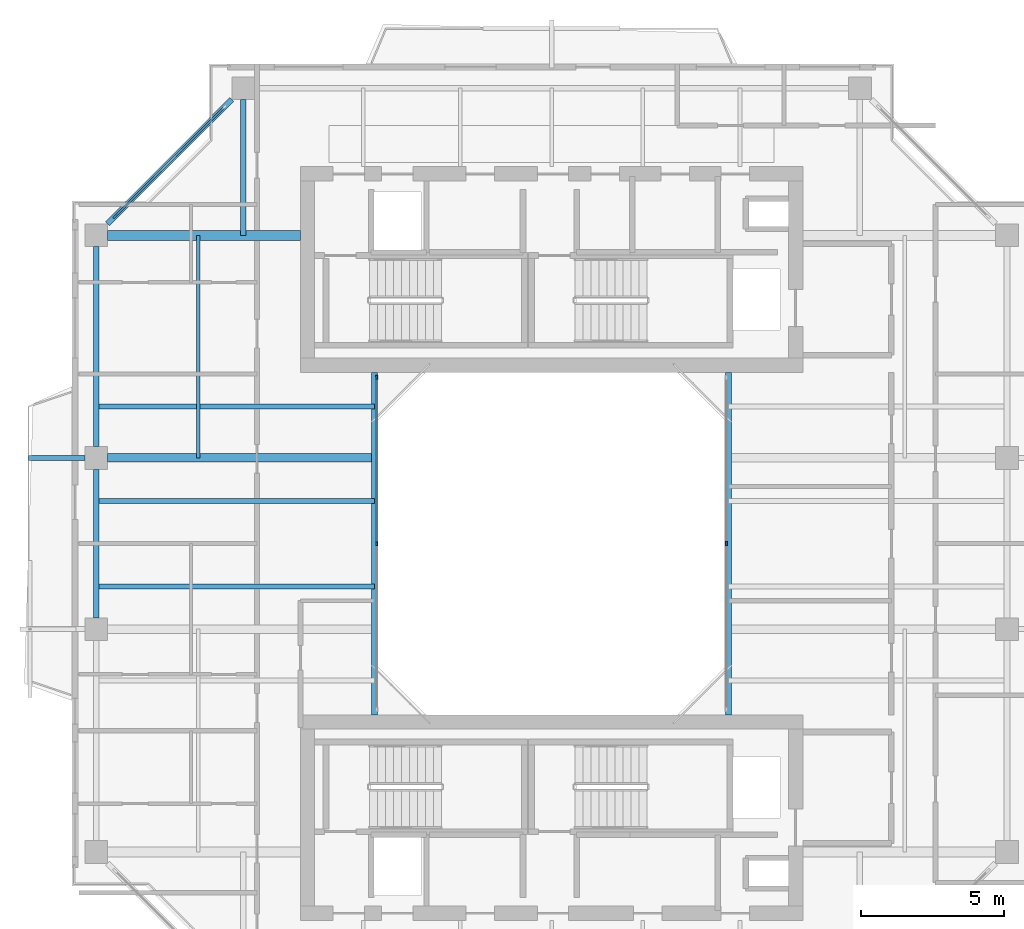
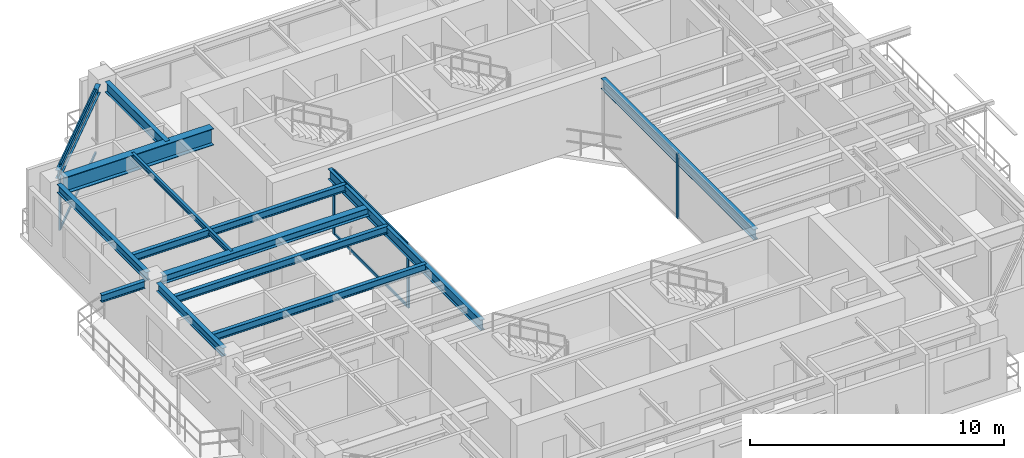
# One storey, part 5 of 16: 13 beams, 8 members, 3 elements without a shape of their own.
"""IFC4 building model written with IfcOpenShell, lengths in metres."""

import ifcopenshell
import ifcopenshell.guid

model = None  # the IFC model being written
_history = None  # IfcOwnerHistory: only IFC2X3 demands one
_inside = {}  # id of a spatial element -> (the spatial element, [elements in it])
_under = {}  # id of a project, library or spatial element -> (it, [spatial elements below it])
_declared = {}  # id of a project -> (the project, [libraries it declares])
_typed = {}  # id of a type object -> (the type object, [elements of that type])
_made_of = {}  # id of a material, layer set ... -> (it, [elements and type objects made of it])


def new_model(schema):
    """Start an empty IFC model of exactly this schema.

    Asked for "IFC4X3", IfcOpenShell would pick the latest addendum, in which some entities
    have other attributes; the version numbers below select the first issue.
    IFC2X3 requires an IfcOwnerHistory on every rooted entity: one is made here for all.
    """
    global model, _history
    if schema == "IFC4X3":
        model = ifcopenshell.file(schema_version=(4, 3, 0, 0))
    else:
        model = ifcopenshell.file(schema=schema)
    _inside.clear()
    _under.clear()
    _declared.clear()
    _typed.clear()
    _made_of.clear()
    _history = None
    if model.schema == "IFC2X3":
        org = make("IfcOrganization", Name="unknown")
        user = make(
            "IfcPersonAndOrganization",
            ThePerson=make("IfcPerson", FamilyName="unknown"),
            TheOrganization=org,
        )
        app = make(
            "IfcApplication",
            ApplicationDeveloper=org,
            Version="unknown",
            ApplicationFullName="unknown",
            ApplicationIdentifier="unknown",
        )
        _history = make(
            "IfcOwnerHistory",
            OwningUser=user,
            OwningApplication=app,
            ChangeAction="ADDED",
            CreationDate=0,
        )
    return model


def make(cls, **values):
    """One entity of the class cls with the attributes given. An attribute that is None is left unset."""
    return model.create_entity(
        cls, **{name: value for name, value in values.items() if value is not None}
    )


def rooted(cls, **values):
    """An entity with a GlobalId (a new one), such as an element, a storey or a relation."""
    return make(cls, GlobalId=ifcopenshell.guid.new(), OwnerHistory=_history, **values)


def si_unit(unit_type, name, prefix=None):
    """IfcSIUnit, for example si_unit("LENGTHUNIT", "METRE", prefix="MILLI")."""
    return make("IfcSIUnit", UnitType=unit_type, Prefix=prefix, Name=name)


def assignment(units):
    """IfcUnitAssignment: the units of a project."""
    return None if units is None else make("IfcUnitAssignment", Units=units)


def point(xyz):
    """IfcCartesianPoint."""
    return None if xyz is None else make("IfcCartesianPoint", Coordinates=xyz)


def direction(xyz):
    """IfcDirection."""
    return None if xyz is None else make("IfcDirection", DirectionRatios=xyz)


def frame(location, z_axis=None, x_axis=None):
    """IfcAxis2Placement3D, a coordinate frame: its origin and axes. An axis left out is left unset."""
    return make(
        "IfcAxis2Placement3D",
        Location=point(location),
        Axis=direction(z_axis),
        RefDirection=direction(x_axis),
    )


def frame_2d(location, x_axis=None):
    """IfcAxis2Placement2D, a coordinate frame in the plane: its origin and x axis."""
    return make(
        "IfcAxis2Placement2D", Location=point(location), RefDirection=direction(x_axis)
    )


def origin():
    """The frame at (0, 0, 0) with its axes left unset."""
    return frame((0.0, 0.0, 0.0))


def origin_2d():
    """The frame at (0, 0) in the plane with its x axis left unset."""
    return frame_2d((0.0, 0.0))


def place(relative_to, where):
    """IfcLocalPlacement: puts the frame where relative to a parent placement (None: the world)."""
    return make(
        "IfcLocalPlacement", PlacementRelTo=relative_to, RelativePlacement=where
    )


def context(
    kind, dimensions, precision=None, world=None, true_north=None, identifier=None
):
    """IfcGeometricRepresentationContext, for example the 3D "Model" context."""
    return make(
        "IfcGeometricRepresentationContext",
        ContextIdentifier=identifier,
        ContextType=kind,
        CoordinateSpaceDimension=dimensions,
        Precision=precision,
        WorldCoordinateSystem=world,
        TrueNorth=true_north,
    )


def subcontext(parent, identifier, kind, view, scale=None):
    """IfcGeometricRepresentationSubContext, for example "Body" below "Model"."""
    return make(
        "IfcGeometricRepresentationSubContext",
        ContextIdentifier=identifier,
        ContextType=kind,
        ParentContext=parent,
        TargetScale=scale,
        TargetView=view,
    )


def project(units=None, contexts=None):
    """IfcProject with its units and contexts."""
    return rooted(
        "IfcProject",
        Name="project",
        RepresentationContexts=contexts,
        UnitsInContext=assignment(units),
    )


def spatial(cls, under=None, at=None, **own):
    """A site, building, storey or space (cls), placed at a placement, below another one or the project."""
    s = rooted(cls, ObjectPlacement=at, **own)
    if under is not None:
        _under.setdefault(under.id(), (under, []))[1].append(s)
    return s


def profile(cls, at=None, kind="AREA", **sizes):
    """A parametric profile (cls). Its sizes go by their IFC names, for example OverallWidth=200.0."""
    return make(cls, ProfileType=kind, Position=at, **sizes)


def rectangle(**sizes):
    """IfcRectangleProfileDef."""
    return profile("IfcRectangleProfileDef", **sizes)


def i_section(**sizes):
    """IfcIShapeProfileDef."""
    return profile("IfcIShapeProfileDef", **sizes)


def extrude(swept, where, along, depth):
    """IfcExtrudedAreaSolid: the profile swept, set in the frame where, extruded along a direction by depth."""
    return make(
        "IfcExtrudedAreaSolid",
        SweptArea=swept,
        Position=where,
        ExtrudedDirection=direction(along),
        Depth=depth,
    )


def shape(context_of_items, identifier, shape_type, items):
    """IfcShapeRepresentation: the items that make up one representation, for example the "Body"."""
    return make(
        "IfcShapeRepresentation",
        ContextOfItems=context_of_items,
        RepresentationIdentifier=identifier,
        RepresentationType=shape_type,
        Items=items,
    )


def source(mapping_origin, context_of_items, identifier, shape_type, items):
    """IfcRepresentationMap: a shape defined once, which mapped items show again and again."""
    return make(
        "IfcRepresentationMap",
        MappingOrigin=mapping_origin,
        MappedRepresentation=shape(context_of_items, identifier, shape_type, items),
    )


def transform(
    local_origin,
    x_axis=None,
    y_axis=None,
    z_axis=None,
    scale=None,
    scale2=None,
    scale3=None,
    uniform=True,
):
    """IfcCartesianTransformationOperator3D, or its non-uniform kind. x_axis, y_axis, z_axis: its Axis1, 2, 3."""
    if uniform:
        return make(
            "IfcCartesianTransformationOperator3D",
            Axis1=direction(x_axis),
            Axis2=direction(y_axis),
            LocalOrigin=point(local_origin),
            Scale=scale,
            Axis3=direction(z_axis),
        )
    return make(
        "IfcCartesianTransformationOperator3DnonUniform",
        Axis1=direction(x_axis),
        Axis2=direction(y_axis),
        LocalOrigin=point(local_origin),
        Scale=scale,
        Axis3=direction(z_axis),
        Scale2=scale2,
        Scale3=scale3,
    )


def mapped(mapping_source, mapping_target):
    """IfcMappedItem: shows the shape of a source again, moved by a transform."""
    return make(
        "IfcMappedItem", MappingSource=mapping_source, MappingTarget=mapping_target
    )


def material(Name=None, Category=None):
    """IfcMaterial."""
    return make("IfcMaterial", Name=Name, Category=Category)


def layer(
    of_material, thickness, ventilated=None, Name=None, Category=None, Priority=None
):
    """IfcMaterialLayer: one layer of a wall or slab, of a material (None: an air gap)."""
    return make(
        "IfcMaterialLayer",
        Material=of_material,
        LayerThickness=thickness,
        IsVentilated=ventilated,
        Name=Name,
        Category=Category,
        Priority=Priority,
    )


def layer_set(layers, Name=None):
    """IfcMaterialLayerSet."""
    return make("IfcMaterialLayerSet", MaterialLayers=layers, LayerSetName=Name)


def material_profile(
    of_material, cross_section, Name=None, Category=None, Priority=None
):
    """IfcMaterialProfile: a cross section and its material."""
    return make(
        "IfcMaterialProfile",
        Name=Name,
        Material=of_material,
        Profile=cross_section,
        Priority=Priority,
        Category=Category,
    )


def profile_set(profiles, Name=None, composite=None):
    """IfcMaterialProfileSet."""
    return make(
        "IfcMaterialProfileSet",
        Name=Name,
        MaterialProfiles=profiles,
        CompositeProfile=composite,
    )


def made_of(thing, what):
    """Note that an element or type object is made of a material, layer set ...; save() writes the relation."""
    if what is not None:
        _made_of.setdefault(what.id(), (what, []))[1].append(thing)
    return thing


def type_object(cls, material=None, **own):
    """A type object (cls), such as IfcWallType, which elements share."""
    return made_of(rooted(cls, **own), material)


def element(
    cls,
    number,
    at=None,
    inside=None,
    cuts=None,
    type_object=None,
    material=None,
    context=None,
    identifier="Body",
    shape_type=None,
    held_by="IfcProductDefinitionShape",
    body=None,
    shapes=None,
    **own,
):
    """One element of the class cls, such as IfcWall. Its Tag is "e" and its number.

    at: its placement. inside: the storey or other place that contains it. cuts: it is an
    opening in that element (IfcRelVoidsElement). A single representation is given by context,
    identifier, shape_type and body (its items); several are given by shapes. held_by: the class
    of the entity that holds the representations. save() writes the other relations.
    """
    e = rooted(cls, Tag="e%d" % number, ObjectPlacement=at, **own)
    if body is not None:
        shapes = [shape(context, identifier, shape_type, body)]
    if shapes is not None:
        e.Representation = make(held_by, Representations=shapes)
    if inside is not None:
        _inside.setdefault(inside.id(), (inside, []))[1].append(e)
    if cuts is not None:
        rooted(
            "IfcRelVoidsElement", RelatingBuildingElement=cuts, RelatedOpeningElement=e
        )
    if type_object is not None:
        _typed.setdefault(type_object.id(), (type_object, []))[1].append(e)
    return made_of(e, material)


def aggregate(whole, parts):
    """IfcRelAggregates: a whole, such as a stair, and the parts it consists of."""
    return rooted("IfcRelAggregates", RelatingObject=whole, RelatedObjects=parts)


def save(model, path):
    """Write the relations noted so far, then the file.

    IfcRelAggregates (storeys below a building ...), IfcRelContainedInSpatialStructure (elements
    in a storey), IfcRelDefinesByType, IfcRelAssociatesMaterial and IfcRelDeclares: one each for
    every whole, place, type object, material and project.
    """
    for whole, parts in _under.values():
        aggregate(whole, parts)
    for where, things in _inside.values():
        rooted(
            "IfcRelContainedInSpatialStructure",
            RelatedElements=things,
            RelatingStructure=where,
        )
    for kind, things in _typed.values():
        rooted("IfcRelDefinesByType", RelatedObjects=things, RelatingType=kind)
    for what, things in _made_of.values():
        rooted("IfcRelAssociatesMaterial", RelatedObjects=things, RelatingMaterial=what)
    for by, libraries in _declared.values():
        rooted("IfcRelDeclares", RelatingContext=by, RelatedDefinitions=libraries)
    model.write(path)


model = new_model("IFC4")

# Units and contexts
model_context = context("Model", 3, precision=1e-05, world=origin(), true_north=direction((0.0, 1.0)))
body_context = subcontext(model_context, "Body", "Model", "MODEL_VIEW")
ifc_project = project(units=[si_unit("LENGTHUNIT", "METRE"), si_unit("AREAUNIT", "SQUARE_METRE"), si_unit("VOLUMEUNIT", "CUBIC_METRE"), si_unit("PLANEANGLEUNIT", "RADIAN"), si_unit("MASSUNIT", "GRAM", prefix="KILO"), si_unit("THERMODYNAMICTEMPERATUREUNIT", "KELVIN"), si_unit("POWERUNIT", "WATT")], contexts=[model_context])

# Site, building, storey
site_placement = place(None, origin())
site = spatial("IfcSite", under=ifc_project, at=site_placement, CompositionType="ELEMENT")
building_placement = place(site_placement, origin())
building = spatial("IfcBuilding", under=site, at=building_placement, Name="Qiaomeng Ring Towers", CompositionType="ELEMENT")
storey_placement = place(building_placement, frame((0.0, 0.0, 216.5)))
storey = spatial("IfcBuildingStorey", under=building, at=storey_placement, Name="L63", CompositionType="ELEMENT", Elevation=216.5)

# Beams
ifc_material_1 = material(Name="Steel Q355B", Category="steel")
ifc_material_profile_1 = material_profile(ifc_material_1, i_section(OverallWidth=0.199951171875, OverallDepth=0.5, WebThickness=0.010009765625, FlangeThickness=0.01611328125, FilletRadius=0.02001953125, at=origin_2d()), Name="HN 500x200x10x16")
ifc_profile_set_1 = profile_set([ifc_material_profile_1], Name="Steel Q355B")
beam_type_1 = type_object("IfcBeamType", Name="STR-BM-HN500", PredefinedType="BEAM", material=ifc_profile_set_1)
shared_shape_1 = source(origin(), body_context, "Body", "SweptSolid", [
    extrude(i_section(OverallWidth=0.199951171875, OverallDepth=0.5, WebThickness=0.010009765625, FlangeThickness=0.01611328125, FilletRadius=0.02001953125, at=origin_2d()), origin(), (0.0, 0.0, 1.0), 12.0),
])
for number, where, z_axis, x_axis, name in (
    (1, (12.800048828125, 17.0, 2.820068359375), (0.0, 1.0, 0.0), (-1.0, 0.0, 0.0), "L63 beam STR-BM-L63-WELL-W"),
    (2, (25.199951171875, 17.0, 2.820068359375), (0.0, 1.0, 0.0), (-1.0, 0.0, 0.0), "L63 beam STR-BM-L63-WELL-E"),
):
    element("IfcBeam", number, at=place(storey_placement, frame(where, z_axis=z_axis, x_axis=x_axis)), inside=storey, type_object=beam_type_1, Name=name, PredefinedType="BEAM", context=body_context, shape_type="MappedRepresentation", body=[
        mapped(shared_shape_1, transform((0.0, 0.0, 0.0), x_axis=(1.0, 0.0, 0.0), y_axis=(0.0, 1.0, 0.0), z_axis=(0.0, 0.0, 1.0), scale=1.0)),
    ])
ifc_material_profile_2 = material_profile(ifc_material_1, i_section(OverallWidth=0.198974609375, OverallDepth=0.39599609375, WebThickness=0.007080078125, FlangeThickness=0.010986328125, FilletRadius=0.01611328125, at=origin_2d()), Name="HN 396x199x7x11")
ifc_profile_set_2 = profile_set([ifc_material_profile_2], Name="Steel Q355B")
beam_type_2 = type_object("IfcBeamType", Name="STR-BM-HN396", PredefinedType="SPANDREL", material=ifc_profile_set_2)
shared_shape_2 = source(origin(), body_context, "Body", "SweptSolid", [
    extrude(i_section(OverallWidth=0.198974609375, OverallDepth=0.39599609375, WebThickness=0.007080078125, FlangeThickness=0.010986328125, FilletRadius=0.01611328125, at=origin_2d()), origin(), (0.0, 0.0, 1.0), 6.154052734375),
])
beam_1_placement = place(storey_placement, frame((7.80078125, 38.55078125, 2.8720703125), z_axis=(-0.707106781187, -0.707106781187, 0.0), x_axis=(0.707106781187, -0.707106781187, 0.0)))
element("IfcBeam", 3, at=beam_1_placement, inside=storey, type_object=beam_type_2, Name="L63 beam STR-SP-L63-T1-N1-W4", PredefinedType="SPANDREL", context=body_context, shape_type="MappedRepresentation", body=[
    mapped(shared_shape_2, transform((0.0, 0.0, 0.0), x_axis=(1.0, 0.0, 0.0), y_axis=(0.0, 1.0, 0.0), z_axis=(0.0, 0.0, 1.0), scale=1.0)),
])
shared_shape_3 = source(origin(), body_context, "Body", "SweptSolid", [
    extrude(i_section(OverallWidth=0.198974609375, OverallDepth=0.39599609375, WebThickness=0.007080078125, FlangeThickness=0.010986328125, FilletRadius=0.01611328125, at=origin_2d()), origin(), (0.0, 0.0, 1.0), 7.001953125),
])
beam_2_placement = place(storey_placement, frame((3.050048828125, 33.40087890625, 2.8720703125), z_axis=(0.0, -1.0, 0.0), x_axis=(1.0, 0.0, 0.0)))
element("IfcBeam", 4, at=beam_2_placement, inside=storey, type_object=beam_type_2, Name="L63 beam STR-SP-L63-T1-W4-W3", PredefinedType="SPANDREL", context=body_context, shape_type="MappedRepresentation", body=[
    mapped(shared_shape_3, transform((0.0, 0.0, 0.0), x_axis=(1.0, 0.0, 0.0), y_axis=(0.0, 1.0, 0.0), z_axis=(0.0, 0.0, 1.0), scale=1.0)),
])
shared_shape_4 = source(origin(), body_context, "Body", "SweptSolid", [
    extrude(i_section(OverallWidth=0.198974609375, OverallDepth=0.39599609375, WebThickness=0.007080078125, FlangeThickness=0.010986328125, FilletRadius=0.01611328125, at=origin_2d()), origin(), (0.0, 0.0, 1.0), 5.2021484375),
])
beam_3_placement = place(storey_placement, frame((3.050048828125, 25.60107421875, 2.8720703125), z_axis=(0.0, -1.0, 0.0), x_axis=(1.0, 0.0, 0.0)))
element("IfcBeam", 5, at=beam_3_placement, inside=storey, type_object=beam_type_2, Name="L63 beam STR-SP-L63-T1-W3-W2", PredefinedType="SPANDREL", context=body_context, shape_type="MappedRepresentation", body=[
    mapped(shared_shape_4, transform((0.0, 0.0, 0.0), x_axis=(1.0, 0.0, 0.0), y_axis=(0.0, 1.0, 0.0), z_axis=(0.0, 0.0, 1.0), scale=1.0)),
])
ifc_material_2 = material(Name="Steel Q390GJC", Category="steel")
ifc_material_profile_3 = material_profile(ifc_material_2, i_section(OverallWidth=0.35009765625, OverallDepth=0.800048828125, WebThickness=0.01611328125, FlangeThickness=0.028076171875, at=origin_2d()), Name="WH 800x350x16x28")
ifc_profile_set_3 = profile_set([ifc_material_profile_3], Name="Steel Q390GJC")
beam_type_3 = type_object("IfcBeamType", Name="STR-BM-WH800", PredefinedType="BEAM", material=ifc_profile_set_3)
shared_shape_5 = source(origin(), body_context, "Body", "SweptSolid", [
    extrude(i_section(OverallWidth=0.35009765625, OverallDepth=0.800048828125, WebThickness=0.01611328125, FlangeThickness=0.028076171875, at=origin_2d()), origin(), (0.0, 0.0, 1.0), 6.7509765625),
])
beam_4_placement = place(storey_placement, frame((3.448974609375, 33.800048828125, 2.669921875), z_axis=(1.0, 0.0, 0.0), x_axis=(0.0, 1.0, 0.0)))
element("IfcBeam", 6, at=beam_4_placement, inside=storey, type_object=beam_type_3, Name="L63 beam STR-BM-L63-T1-RAD-W4", PredefinedType="BEAM", context=body_context, shape_type="MappedRepresentation", body=[
    mapped(shared_shape_5, transform((0.0, 0.0, 0.0), x_axis=(1.0, 0.0, 0.0), y_axis=(0.0, 1.0, 0.0), z_axis=(0.0, 0.0, 1.0), scale=1.0)),
])
ifc_material_profile_4 = material_profile(ifc_material_1, i_section(OverallWidth=0.300048828125, OverallDepth=0.389892578125, WebThickness=0.010009765625, FlangeThickness=0.01611328125, FilletRadius=0.02197265625, at=origin_2d()), Name="HM 390x300x10x16")
ifc_profile_set_4 = profile_set([ifc_material_profile_4], Name="Steel Q355B")
beam_type_4 = type_object("IfcBeamType", Name="STR-BM-HM390", PredefinedType="BEAM", material=ifc_profile_set_4)
shared_shape_6 = source(origin(), body_context, "Body", "SweptSolid", [
    extrude(i_section(OverallWidth=0.300048828125, OverallDepth=0.389892578125, WebThickness=0.010009765625, FlangeThickness=0.01611328125, FilletRadius=0.02197265625, at=origin_2d()), origin(), (0.0, 0.0, 1.0), 9.35107421875),
])
beam_5_placement = place(storey_placement, frame((3.448974609375, 26.0, 2.875), z_axis=(1.0, 0.0, 0.0), x_axis=(0.0, 1.0, 0.0)))
element("IfcBeam", 7, at=beam_5_placement, inside=storey, type_object=beam_type_4, Name="L63 beam STR-BM-L63-T1-RAD-W3", PredefinedType="BEAM", context=body_context, shape_type="MappedRepresentation", body=[
    mapped(shared_shape_6, transform((0.0, 0.0, 0.0), x_axis=(1.0, 0.0, 0.0), y_axis=(0.0, 1.0, 0.0), z_axis=(0.0, 0.0, 1.0), scale=1.0)),
])
ifc_material_profile_5 = material_profile(ifc_material_1, i_section(OverallWidth=0.175048828125, OverallDepth=0.35009765625, WebThickness=0.007080078125, FlangeThickness=0.010986328125, FilletRadius=0.013916015625, at=origin_2d()), Name="HN 350x175x7x11")
ifc_profile_set_5 = profile_set([ifc_material_profile_5], Name="Steel Q355B")
beam_type_5 = type_object("IfcBeamType", Name="STR-BM-HN350", PredefinedType="JOIST", material=ifc_profile_set_5)
shared_shape_7 = source(origin(), body_context, "Body", "SweptSolid", [
    extrude(i_section(OverallWidth=0.175048828125, OverallDepth=0.35009765625, WebThickness=0.007080078125, FlangeThickness=0.010986328125, FilletRadius=0.013916015625, at=origin_2d()), origin(), (0.0, 0.0, 1.0), 1.970947265625),
])
beam_6_placement = place(storey_placement, frame((0.679931640625, 26.0, 2.89501953125), z_axis=(1.0, 0.0, 0.0), x_axis=(0.0, 1.0, 0.0)))
element("IfcBeam", 8, at=beam_6_placement, inside=storey, type_object=beam_type_5, Name="L63 beam STR-BALBM-L63-W3", PredefinedType="JOIST", context=body_context, shape_type="MappedRepresentation", body=[
    mapped(shared_shape_7, transform((0.0, 0.0, 0.0), x_axis=(1.0, 0.0, 0.0), y_axis=(0.0, 1.0, 0.0), z_axis=(0.0, 0.0, 1.0), scale=1.0)),
])
shared_shape_8 = source(origin(), body_context, "Body", "SweptSolid", [
    extrude(i_section(OverallWidth=0.175048828125, OverallDepth=0.35009765625, WebThickness=0.007080078125, FlangeThickness=0.010986328125, FilletRadius=0.013916015625, at=origin_2d()), origin(), (0.0, 0.0, 1.0), 9.75),
])
for number, where, z_axis, x_axis, name in (
    (9, (3.050048828125, 21.5, 2.89501953125), (1.0, 0.0, 0.0), (0.0, 1.0, 0.0), "L63 beam STR-JST-L63-T1W-2"),
    (10, (3.050048828125, 24.5, 2.89501953125), (1.0, 0.0, 0.0), (0.0, 1.0, 0.0), "L63 beam STR-JST-L63-T1W-3"),
    (11, (3.050048828125, 27.800048828125, 2.89501953125), (1.0, 0.0, 0.0), (0.0, 1.0, 0.0), "L63 beam STR-JST-L63-T1W-4"),
):
    element("IfcBeam", number, at=place(storey_placement, frame(where, z_axis=z_axis, x_axis=x_axis)), inside=storey, type_object=beam_type_5, Name=name, PredefinedType="JOIST", context=body_context, shape_type="MappedRepresentation", body=[
        mapped(shared_shape_8, transform((0.0, 0.0, 0.0), x_axis=(1.0, 0.0, 0.0), y_axis=(0.0, 1.0, 0.0), z_axis=(0.0, 0.0, 1.0), scale=1.0)),
    ])
ifc_material_profile_6 = material_profile(ifc_material_1, i_section(OverallWidth=0.125, OverallDepth=0.25, WebThickness=0.006103515625, FlangeThickness=0.009033203125, FilletRadius=0.011962890625, at=origin_2d()), Name="HN 250x125x6x9")
ifc_profile_set_6 = profile_set([ifc_material_profile_6], Name="Steel Q355B")
beam_type_6 = type_object("IfcBeamType", Name="STR-BM-HN250", PredefinedType="JOIST", material=ifc_profile_set_6)
shared_shape_9 = source(origin(), body_context, "Body", "SweptSolid", [
    extrude(i_section(OverallWidth=0.125, OverallDepth=0.25, WebThickness=0.006103515625, FlangeThickness=0.009033203125, FilletRadius=0.011962890625, at=origin_2d()), origin(), (0.0, 0.0, 1.0), 7.800048828125),
])
beam_7_placement = place(storey_placement, frame((6.625, 26.0, 2.945068359375), z_axis=(0.0, 1.0, 0.0), x_axis=(-1.0, 0.0, 0.0)))
element("IfcBeam", 12, at=beam_7_placement, inside=storey, type_object=beam_type_6, Name="L63 beam STR-JST-L63-T1C-WN", PredefinedType="JOIST", context=body_context, shape_type="MappedRepresentation", body=[
    mapped(shared_shape_9, transform((0.0, 0.0, 0.0), x_axis=(1.0, 0.0, 0.0), y_axis=(0.0, 1.0, 0.0), z_axis=(0.0, 0.0, 1.0), scale=1.0)),
])
ifc_material_profile_7 = material_profile(ifc_material_1, i_section(OverallWidth=0.198974609375, OverallDepth=0.49609375, WebThickness=0.009033203125, FlangeThickness=0.013916015625, FilletRadius=0.01806640625, at=origin_2d()), Name="HN 496x199x9x14")
ifc_profile_set_7 = profile_set([ifc_material_profile_7], Name="Steel Q355B")
beam_type_7 = type_object("IfcBeamType", Name="STR-BM-HN496", PredefinedType="BEAM", material=ifc_profile_set_7)
shared_shape_10 = source(origin(), body_context, "Body", "SweptSolid", [
    extrude(i_section(OverallWidth=0.198974609375, OverallDepth=0.49609375, WebThickness=0.009033203125, FlangeThickness=0.013916015625, FilletRadius=0.01806640625, at=origin_2d()), origin(), (0.0, 0.0, 1.0), 4.7509765625),
])
beam_8_placement = place(storey_placement, frame((8.199951171875, 38.551025390625, 2.822021484375), z_axis=(0.0, -1.0, 0.0), x_axis=(1.0, 0.0, 0.0)))
element("IfcBeam", 13, at=beam_8_placement, inside=storey, type_object=beam_type_7, Name="L63 beam STR-BM-L63-T1-RAD-N1", PredefinedType="BEAM", context=body_context, shape_type="MappedRepresentation", body=[
    mapped(shared_shape_10, transform((0.0, 0.0, 0.0), x_axis=(1.0, 0.0, 0.0), y_axis=(0.0, 1.0, 0.0), z_axis=(0.0, 0.0, 1.0), scale=1.0)),
])

# Curtain wall, members
ifc_material_3 = material(Name="Fluorocarbon dark-grey aluminium", Category="aluminium")
ifc_layer_1 = layer(ifc_material_3, 0.139892578125, Name="Fluorocarbon dark-grey aluminium")
ifc_layer_set_1 = layer_set([ifc_layer_1], Name="Fluorocarbon dark-grey aluminium")
curtain_wall_type_1 = type_object("IfcCurtainWallType", Name="ARC-CW-4", PredefinedType="NOTDEFINED", material=ifc_layer_set_1)
curtain_wall_1_placement = place(storey_placement, origin())
curtain_wall_1 = element("IfcCurtainWall", 14, at=curtain_wall_1_placement, inside=storey, type_object=curtain_wall_type_1, Name="L63 Curtain Wall CW4", PredefinedType="NOTDEFINED")
ifc_material_profile_8 = material_profile(ifc_material_3, rectangle(XDim=0.06494140625, YDim=0.159912109375, at=origin_2d()), Name="ALU MULL 65x160")
ifc_profile_set_8 = profile_set([ifc_material_profile_8], Name="Fluorocarbon dark-grey aluminium")
member_type_1 = type_object("IfcMemberType", Name="ARC-CWM-140", PredefinedType="MULLION", material=ifc_profile_set_8)
shared_shape_11 = source(origin(), body_context, "Body", "SweptSolid", [
    extrude(rectangle(XDim=0.06494140625, YDim=0.159912109375, at=origin_2d()), origin(), (0.0, 0.0, 1.0), 3.070068359375),
])
member_1_placement = place(storey_placement, frame((12.8798828125, 23.0, 0.0), z_axis=(0.0, 0.0, 1.0), x_axis=(-1.0, 0.0, 0.0)))
member_1 = element("IfcMember", 15, at=member_1_placement, type_object=member_type_1, Name="CW4 mullion 2", PredefinedType="MULLION", context=body_context, shape_type="MappedRepresentation", body=[
    mapped(shared_shape_11, transform((0.0, 0.0, 0.0), x_axis=(1.0, 0.0, 0.0), y_axis=(0.0, 1.0, 0.0), z_axis=(0.0, 0.0, 1.0), scale=1.0)),
])
member_2_placement = place(storey_placement, frame((12.8798828125, 28.8173828125, 0.0), z_axis=(0.0, 0.0, 1.0), x_axis=(-1.0, 0.0, 0.0)))
member_2 = element("IfcMember", 16, at=member_2_placement, type_object=member_type_1, Name="CW4 mullion 3", PredefinedType="MULLION", context=body_context, shape_type="MappedRepresentation", body=[
    mapped(shared_shape_11, transform((0.0, 0.0, 0.0), x_axis=(1.0, 0.0, 0.0), y_axis=(0.0, 1.0, 0.0), z_axis=(0.0, 0.0, 1.0), scale=1.0)),
])

# Curtain wall, member
curtain_wall_2_placement = place(storey_placement, origin())
curtain_wall_2 = element("IfcCurtainWall", 17, at=curtain_wall_2_placement, inside=storey, type_object=curtain_wall_type_1, Name="L63 Curtain Wall CW4", PredefinedType="NOTDEFINED")
member_3_placement = place(storey_placement, frame((25.1201171875, 23.0, 0.0), z_axis=(0.0, 0.0, 1.0), x_axis=(-1.0, 0.0, 0.0)))
member_3 = element("IfcMember", 18, at=member_3_placement, type_object=member_type_1, Name="CW4 mullion 2", PredefinedType="MULLION", context=body_context, shape_type="MappedRepresentation", body=[
    mapped(shared_shape_11, transform((0.0, 0.0, 0.0), x_axis=(1.0, 0.0, 0.0), y_axis=(0.0, 1.0, 0.0), z_axis=(0.0, 0.0, 1.0), scale=1.0)),
])
aggregate(curtain_wall_2, [member_3])

# Member
ifc_material_profile_9 = material_profile(ifc_material_3, rectangle(XDim=0.06494140625, YDim=0.1298828125, at=origin_2d()), Name="ALU TRAN 65x130")
ifc_profile_set_9 = profile_set([ifc_material_profile_9], Name="Fluorocarbon dark-grey aluminium")
member_type_2 = type_object("IfcMemberType", Name="ARC-CWT-120", PredefinedType="USERDEFINED", material=ifc_profile_set_9)
shared_shape_12 = source(origin(), body_context, "Body", "SweptSolid", [
    extrude(rectangle(XDim=0.06494140625, YDim=0.1298828125, at=origin_2d()), origin(), (0.0, 0.0, 1.0), 5.75244140625),
])
member_4_placement = place(storey_placement, frame((12.8798828125, 23.032470703125, 0.032470703125), z_axis=(0.0, 1.0, 0.0), x_axis=(-1.0, 0.0, 0.0)))
member_4 = element("IfcMember", 19, at=member_4_placement, type_object=member_type_2, Name="CW4 transom 2.1", ObjectType="TRANSOM", PredefinedType="USERDEFINED", context=body_context, shape_type="MappedRepresentation", body=[
    mapped(shared_shape_12, transform((0.0, 0.0, 0.0), x_axis=(1.0, 0.0, 0.0), y_axis=(0.0, 1.0, 0.0), z_axis=(0.0, 0.0, 1.0), scale=1.0)),
])

member_5_placement = place(storey_placement, frame((12.8798828125, 23.032470703125, 3.03759765625), z_axis=(0.0, 1.0, 0.0), x_axis=(-1.0, 0.0, 0.0)))
member_5 = element("IfcMember", 20, at=member_5_placement, type_object=member_type_2, Name="CW4 transom 2.2", ObjectType="TRANSOM", PredefinedType="USERDEFINED", context=body_context, shape_type="MappedRepresentation", body=[
    mapped(shared_shape_12, transform((0.0, 0.0, 0.0), x_axis=(1.0, 0.0, 0.0), y_axis=(0.0, 1.0, 0.0), z_axis=(0.0, 0.0, 1.0), scale=1.0)),
])

aggregate(curtain_wall_1, [member_1, member_2, member_4, member_5])

# Curtain wall, members
ifc_layer_2 = layer(ifc_material_3, 0.14990234375, Name="Fluorocarbon dark-grey aluminium")
ifc_layer_set_2 = layer_set([ifc_layer_2], Name="Fluorocarbon dark-grey aluminium")
curtain_wall_type_2 = type_object("IfcCurtainWallType", Name="ARC-CW-3", PredefinedType="NOTDEFINED", material=ifc_layer_set_2)
curtain_wall_3_placement = place(storey_placement, origin())
curtain_wall_3 = element("IfcCurtainWall", 21, at=curtain_wall_3_placement, inside=storey, type_object=curtain_wall_type_2, Name="L63 Curtain Wall CW3", PredefinedType="NOTDEFINED")
ifc_material_profile_10 = material_profile(ifc_material_3, rectangle(XDim=0.070068359375, YDim=0.179931640625, at=origin_2d()), Name="ALU MULL 70x180")
ifc_profile_set_10 = profile_set([ifc_material_profile_10], Name="Fluorocarbon dark-grey aluminium")
member_type_3 = type_object("IfcMemberType", Name="ARC-CWM-160", PredefinedType="MULLION", material=ifc_profile_set_10)
shared_shape_13 = source(origin(), body_context, "Body", "SweptSolid", [
    extrude(rectangle(XDim=0.070068359375, YDim=0.179931640625, at=origin_2d()), origin(), (0.0, 0.0, 1.0), 3.070068359375),
])
member_6_placement = place(storey_placement, frame((3.71484375, 34.46484375, 0.0), z_axis=(0.0, 0.0, 1.0), x_axis=(0.707106781187, -0.707106781187, 0.0)))
member_6 = element("IfcMember", 22, at=member_6_placement, type_object=member_type_3, Name="CW3 mullion 2", PredefinedType="MULLION", context=body_context, shape_type="MappedRepresentation", body=[
    mapped(shared_shape_13, transform((0.0, 0.0, 0.0), x_axis=(1.0, 0.0, 0.0), y_axis=(0.0, 1.0, 0.0), z_axis=(0.0, 0.0, 1.0), scale=1.0)),
])
shared_shape_14 = source(origin(), body_context, "Body", "SweptSolid", [
    extrude(rectangle(XDim=0.06494140625, YDim=0.1298828125, at=origin_2d()), origin(), (0.0, 0.0, 1.0), 5.3330078125),
])
member_7_placement = place(storey_placement, frame((7.510498046875, 38.260498046875, 0.032470703125), z_axis=(-0.707106781187, -0.707106781187, 0.0), x_axis=(0.707106781187, -0.707106781187, 0.0)))
member_7 = element("IfcMember", 23, at=member_7_placement, type_object=member_type_2, Name="CW3 transom 1.1", ObjectType="TRANSOM", PredefinedType="USERDEFINED", context=body_context, shape_type="MappedRepresentation", body=[
    mapped(shared_shape_14, transform((0.0, 0.0, 0.0), x_axis=(1.0, 0.0, 0.0), y_axis=(0.0, 1.0, 0.0), z_axis=(0.0, 0.0, 1.0), scale=1.0)),
])
member_8_placement = place(storey_placement, frame((7.510498046875, 38.260498046875, 3.03759765625), z_axis=(-0.707106781187, -0.707106781187, 0.0), x_axis=(0.707106781187, -0.707106781187, 0.0)))
member_8 = element("IfcMember", 24, at=member_8_placement, type_object=member_type_2, Name="CW3 transom 1.2", ObjectType="TRANSOM", PredefinedType="USERDEFINED", context=body_context, shape_type="MappedRepresentation", body=[
    mapped(shared_shape_14, transform((0.0, 0.0, 0.0), x_axis=(1.0, 0.0, 0.0), y_axis=(0.0, 1.0, 0.0), z_axis=(0.0, 0.0, 1.0), scale=1.0)),
])
aggregate(curtain_wall_3, [member_6, member_7, member_8])

save(model, "model.ifc")
